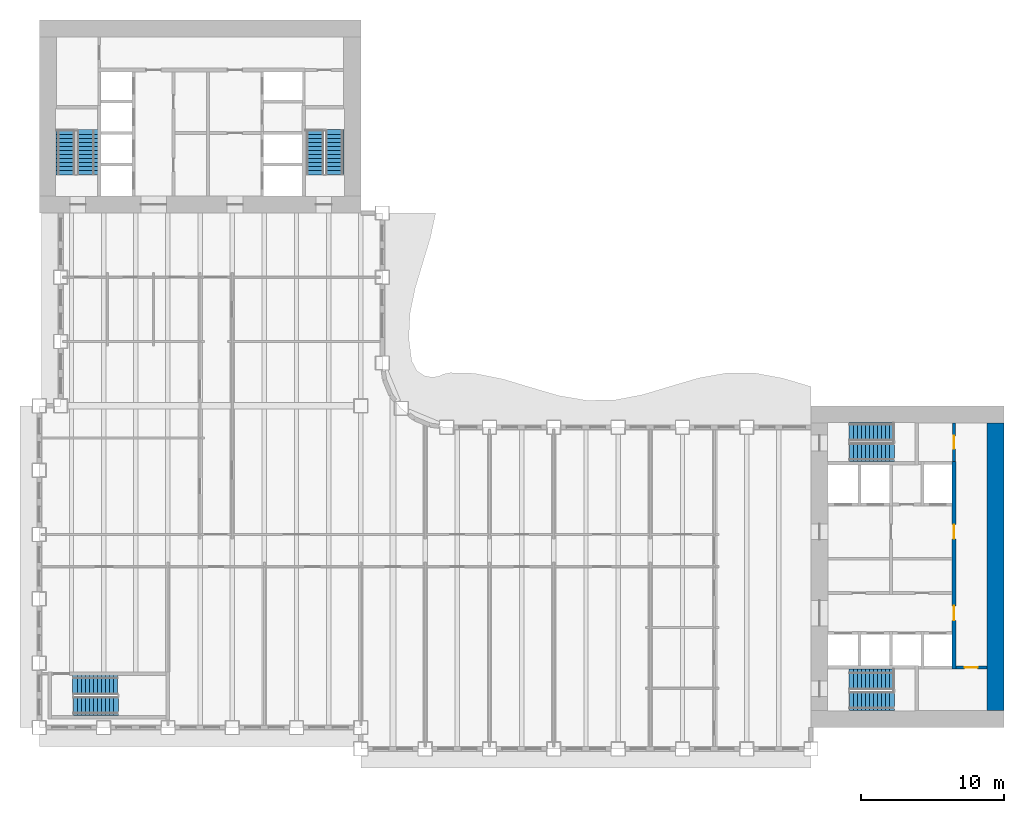
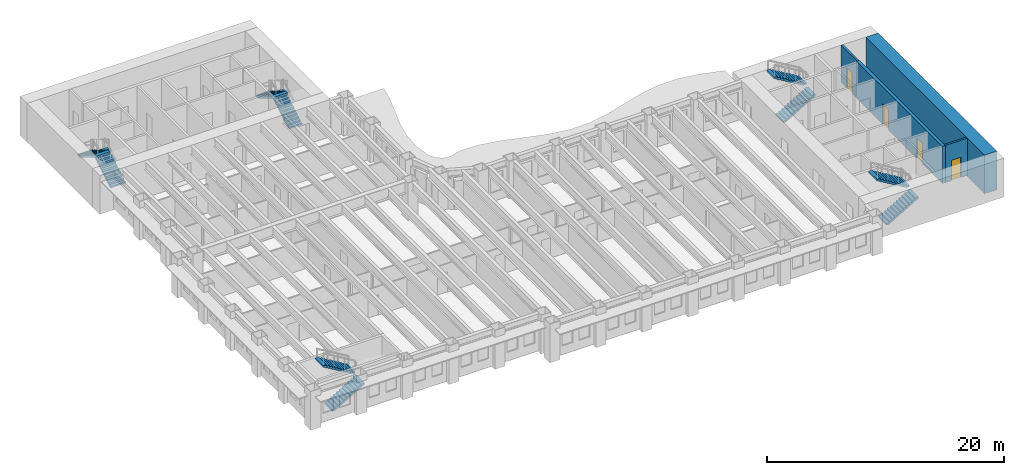
# One storey, part 10 of 16: 10 stair flights, 4 doors, 4 walls, 4 openings, 5 elements without a shape of their own.
"""IFC4 building model written with IfcOpenShell, lengths in metres."""

from ifc_helpers import new_model, si_unit, direction, frame, frame_2d, origin, place, context, subcontext, project, spatial, polyline, rectangle, outline, extrude, material, layer, layer_set, type_object, element, fill, aggregate, save


model = new_model("IFC4")

# Units and contexts
model_context = context("Model", 3, precision=1e-05, world=origin(), true_north=direction((0.0, 1.0)))
body_context = subcontext(model_context, "Body", "Model", "MODEL_VIEW")
ifc_project = project(units=[si_unit("LENGTHUNIT", "METRE"), si_unit("AREAUNIT", "SQUARE_METRE"), si_unit("VOLUMEUNIT", "CUBIC_METRE"), si_unit("PLANEANGLEUNIT", "RADIAN"), si_unit("MASSUNIT", "GRAM", prefix="KILO")], contexts=[model_context])

# Site, building, storey
site_placement = place(None, origin())
site = spatial("IfcSite", under=ifc_project, at=site_placement, CompositionType="ELEMENT")
building_placement = place(site_placement, origin())
building = spatial("IfcBuilding", under=site, at=building_placement, Name="Sennacour Bend Tower", CompositionType="ELEMENT")
storey_placement = place(building_placement, frame((0.0, 0.0, 91.0)))
storey = spatial("IfcBuildingStorey", under=building, at=storey_placement, Name="L20", CompositionType="ELEMENT", Elevation=91.0)

# Wall
ifc_material_1 = material(Name="Concrete C80/95", Category="concrete")
ifc_layer_1 = layer(ifc_material_1, 1.199951171875, Name="Concrete C80/95", Category="concrete")
ifc_layer_set_1 = layer_set([ifc_layer_1], Name="Concrete C80/95")
wall_type_1 = type_object("IfcWallType", Name="Core wall 1200 C80/95", PredefinedType="SHEAR", material=ifc_layer_set_1)
wall_1_placement = place(storey_placement, frame((66.89990234375, 1.199951171875, -0.14990234375), z_axis=(0.0, 0.0, 1.0), x_axis=(0.0, 1.0, 0.0)))
element("IfcWall", 1, at=wall_1_placement, inside=storey, type_object=wall_type_1, Name="Core A wall L20 E", PredefinedType="SHEAR", context=body_context, shape_type="SweptSolid", body=[
    extrude(rectangle(XDim=20.10009765625, YDim=1.199951171875, at=frame_2d((10.050048828125, 0.0))), origin(), (0.0, 0.0, 1.0), 4.0),
])

# Wall, opening, door
ifc_material_2 = material(Name="Fire-rated plasterboard partition on steel studs", Category="steel")
ifc_layer_2 = layer(ifc_material_2, 0.199951171875, Name="Fire-rated plasterboard partition on steel studs", Category="steel")
ifc_layer_set_2 = layer_set([ifc_layer_2], Name="Fire-rated plasterboard partition on steel studs")
wall_type_2 = type_object("IfcWallType", Name="Rated partition 200", PredefinedType="PARTITIONING", material=ifc_layer_set_2)
wall_2_placement = place(storey_placement, frame((64.0, 18.60009765625, 0.0), z_axis=(0.0, 0.0, 1.0), x_axis=(0.0, 1.0, 0.0)))
wall_2 = element("IfcWall", 2, at=wall_2_placement, inside=storey, type_object=wall_type_2, Name="P-L20-W046", PredefinedType="PARTITIONING", context=body_context, shape_type="SweptSolid", body=[
    extrude(rectangle(XDim=2.699951171875, YDim=0.199951171875, at=frame_2d((1.35009765625, 0.0))), origin(), (0.0, 0.0, 1.0), 3.85009765625),
])
opening_1_placement = place(wall_2_placement, frame((0.89990234375, 0.0, 0.0)))
opening_1 = element("IfcOpeningElement", 3, at=opening_1_placement, cuts=wall_2, Name="Opening SV", PredefinedType="OPENING", context=body_context, shape_type="SweptSolid", body=[
    extrude(rectangle(XDim=0.89990234375, YDim=2.10009765625, at=frame_2d((0.449951171875, 1.050048828125))), frame((0.0, 0.10986328125, 0.0), z_axis=(0.0, -1.0, 0.0), x_axis=(1.0, 0.0, 0.0)), (0.0, 0.0, 1.0), 0.219970703125),
])
ifc_material_3 = material(Name="Painted steel", Category="steel")
door_type_1 = type_object("IfcDoorType", Name="DR-SERVICE-900", OperationType="NOTDEFINED", PredefinedType="DOOR", material=ifc_material_3)
door_1_placement = place(opening_1_placement, origin())
door_1 = element("IfcDoor", 4, at=door_1_placement, inside=storey, type_object=door_type_1, Name="Door", OperationType="SINGLE_SWING_LEFT", OverallHeight=2.10009765625, OverallWidth=0.89990234375, PredefinedType="DOOR", context=body_context, shape_type="SweptSolid", body=[
    extrude(rectangle(XDim=0.89990234375, YDim=2.10009765625, at=frame_2d((0.449951171875, 1.050048828125))), frame((0.0, 0.02490234375, 0.0), z_axis=(0.0, -1.0, 0.0), x_axis=(1.0, 0.0, 0.0)), (0.0, 0.0, 1.0), 0.050048828125),
])
fill(opening_1, door_1)

wall_3_placement = place(storey_placement, frame((64.14990234375, 4.199951171875, 0.0), z_axis=(0.0, 0.0, 1.0), x_axis=(1.0, 0.0, 0.0)))
wall_3 = element("IfcWall", 5, at=wall_3_placement, inside=storey, type_object=wall_type_2, Name="P-L20-W054", PredefinedType="PARTITIONING", context=body_context, shape_type="SweptSolid", body=[
    extrude(rectangle(XDim=2.150146484375, YDim=0.199951171875, at=frame_2d((1.0751953125, 0.0))), origin(), (0.0, 0.0, 1.0), 3.85009765625),
])
opening_2_placement = place(wall_3_placement, frame((0.60009765625, 0.0, 0.0)))
opening_2 = element("IfcOpeningElement", 6, at=opening_2_placement, cuts=wall_3, Name="Opening SV", PredefinedType="OPENING", context=body_context, shape_type="SweptSolid", body=[
    extrude(rectangle(XDim=0.89990234375, YDim=2.10009765625, at=frame_2d((0.449951171875, 1.050048828125))), frame((0.0, 0.10986328125, 0.0), z_axis=(0.0, -1.0, 0.0), x_axis=(1.0, 0.0, 0.0)), (0.0, 0.0, 1.0), 0.219970703125),
])
door_2_placement = place(opening_2_placement, origin())
door_2 = element("IfcDoor", 7, at=door_2_placement, inside=storey, type_object=door_type_1, Name="Door", OperationType="SINGLE_SWING_LEFT", OverallHeight=2.10009765625, OverallWidth=0.89990234375, PredefinedType="DOOR", context=body_context, shape_type="SweptSolid", body=[
    extrude(rectangle(XDim=0.89990234375, YDim=2.10009765625, at=frame_2d((0.449951171875, 1.050048828125))), frame((0.0, 0.02490234375, 0.0), z_axis=(0.0, -1.0, 0.0), x_axis=(1.0, 0.0, 0.0)), (0.0, 0.0, 1.0), 0.050048828125),
])
fill(opening_2, door_2)

# Wall, openings, doors
ifc_material_4 = material(Name="Concrete C60/75", Category="concrete")
ifc_layer_3 = layer(ifc_material_4, 0.300048828125, Name="Concrete C60/75", Category="concrete")
ifc_layer_set_3 = layer_set([ifc_layer_3], Name="Concrete C60/75")
wall_type_3 = type_object("IfcWallType", Name="Spine wall 300", PredefinedType="SHEAR", material=ifc_layer_set_3)
wall_4_placement = place(storey_placement, frame((64.0, 4.10009765625, 0.0), z_axis=(0.0, 0.0, 1.0), x_axis=(0.0, 1.0, 0.0)))
wall_4 = element("IfcWall", 8, at=wall_4_placement, inside=storey, type_object=wall_type_3, Name="P-L20-W045", PredefinedType="SHEAR", context=body_context, shape_type="SweptSolid", body=[
    extrude(rectangle(XDim=14.5, YDim=0.300048828125, at=frame_2d((7.25, 0.0))), origin(), (0.0, 0.0, 1.0), 3.85009765625),
])
opening_3_placement = place(wall_4_placement, frame((3.39990234375, 0.0, 0.0)))
opening_3 = element("IfcOpeningElement", 9, at=opening_3_placement, cuts=wall_4, Name="Opening CD2", PredefinedType="OPENING", context=body_context, shape_type="SweptSolid", body=[
    extrude(rectangle(XDim=1.0, YDim=2.10009765625, at=frame_2d((0.5, 1.050048828125))), frame((0.0, 0.16015625, 0.0), z_axis=(0.0, -1.0, 0.0), x_axis=(1.0, 0.0, 0.0)), (0.0, 0.0, 1.0), 0.320068359375),
])
opening_4_placement = place(wall_4_placement, frame((9.099853515625, 0.0, 0.0)))
opening_4 = element("IfcOpeningElement", 10, at=opening_4_placement, cuts=wall_4, Name="Opening CD2", PredefinedType="OPENING", context=body_context, shape_type="SweptSolid", body=[
    extrude(rectangle(XDim=1.0, YDim=2.10009765625, at=frame_2d((0.5, 1.050048828125))), frame((0.0, 0.16015625, 0.0), z_axis=(0.0, -1.0, 0.0), x_axis=(1.0, 0.0, 0.0)), (0.0, 0.0, 1.0), 0.320068359375),
])
door_type_2 = type_object("IfcDoorType", Name="DR-LOBBY-1000", OperationType="NOTDEFINED", PredefinedType="DOOR", material=ifc_material_3)
door_3_placement = place(opening_3_placement, origin())
door_3 = element("IfcDoor", 11, at=door_3_placement, inside=storey, type_object=door_type_2, Name="Door", OperationType="SINGLE_SWING_LEFT", OverallHeight=2.10009765625, OverallWidth=1.0, PredefinedType="DOOR", context=body_context, shape_type="SweptSolid", body=[
    extrude(rectangle(XDim=1.0, YDim=2.10009765625, at=frame_2d((0.5, 1.050048828125))), frame((0.0, 0.02490234375, 0.0), z_axis=(0.0, -1.0, 0.0), x_axis=(1.0, 0.0, 0.0)), (0.0, 0.0, 1.0), 0.050048828125),
])
fill(opening_3, door_3)
door_4_placement = place(opening_4_placement, origin())
door_4 = element("IfcDoor", 12, at=door_4_placement, inside=storey, type_object=door_type_2, Name="Door", OperationType="SINGLE_SWING_RIGHT", OverallHeight=2.10009765625, OverallWidth=1.0, PredefinedType="DOOR", context=body_context, shape_type="SweptSolid", body=[
    extrude(rectangle(XDim=1.0, YDim=2.10009765625, at=frame_2d((0.5, 1.050048828125))), frame((0.0, 0.02490234375, 0.0), z_axis=(0.0, -1.0, 0.0), x_axis=(1.0, 0.0, 0.0)), (0.0, 0.0, 1.0), 0.050048828125),
])
fill(opening_4, door_4)

# Stair, stair flights
ifc_material_5 = material(Name="Concrete C40/50", Category="concrete")
stair_type = type_object("IfcStairType", Name="ST-DOGLEG", PredefinedType="HALF_TURN_STAIR", material=ifc_material_5)
stair_1_placement = place(storey_placement, origin())
stair_1 = element("IfcStair", 13, at=stair_1_placement, inside=storey, type_object=stair_type, Name="L20 Exit stair A1", PredefinedType="HALF_TURN_STAIR")
stair_flight_type = type_object("IfcStairFlightType", Name="SFL-RC", PredefinedType="STRAIGHT", material=ifc_material_5)
stair_flight_1_placement = place(storey_placement, frame((56.699951171875, 1.8349609375, 0.0), z_axis=(0.0, 0.0, 1.0), x_axis=(1.0, 0.0, 0.0)))
stair_flight_1 = element("IfcStairFlight", 14, at=stair_flight_1_placement, type_object=stair_flight_type, Name="SA1 flight 1", NumberOfRisers=12, NumberOfTreads=11, PredefinedType="STRAIGHT", RiserHeight=0.166666667, TreadLength=0.28, context=body_context, shape_type="SweptSolid", body=[
    extrude(outline(polyline([(0.0, 0.0), (0.0, 0.166748046875), (0.280029296875, 0.166748046875), (0.280029296875, 0.333251953125), (0.56005859375, 0.333251953125), (0.56005859375, 0.5), (0.840087890625, 0.5), (0.840087890625, 0.666748046875), (1.1201171875, 0.666748046875), (1.1201171875, 0.833251953125), (1.39990234375, 0.833251953125), (1.39990234375, 1.0), (1.679931640625, 1.0), (1.679931640625, 1.166748046875), (1.9599609375, 1.166748046875), (1.9599609375, 1.333251953125), (2.239990234375, 1.333251953125), (2.239990234375, 1.5), (2.52001953125, 1.5), (2.52001953125, 1.666748046875), (2.800048828125, 1.666748046875), (2.800048828125, 1.833251953125), (3.080078125, 1.833251953125), (3.139892578125, 1.833251953125), (3.139892578125, 1.658935546875), (3.080078125, 1.658935546875), (0.29296875, 0.0), (0.0, 0.0)])), frame((0.0, 0.6650390625, 0.0), z_axis=(0.0, -1.0, 0.0), x_axis=(1.0, 0.0, 0.0)), (0.0, 0.0, 1.0), 1.330078125),
])
stair_flight_2_placement = place(storey_placement, frame((59.780029296875, 3.37744140625, 2.0), z_axis=(0.0, 0.0, 1.0), x_axis=(-1.0, 0.0, 0.0)))
stair_flight_2 = element("IfcStairFlight", 15, at=stair_flight_2_placement, type_object=stair_flight_type, Name="SA1 flight 2", NumberOfRisers=12, NumberOfTreads=11, PredefinedType="STRAIGHT", RiserHeight=0.166666667, TreadLength=0.28, context=body_context, shape_type="SweptSolid", body=[
    extrude(outline(polyline([(0.0, 0.0), (0.0, 0.166748046875), (0.280029296875, 0.166748046875), (0.280029296875, 0.333251953125), (0.56005859375, 0.333251953125), (0.56005859375, 0.5), (0.840087890625, 0.5), (0.840087890625, 0.666748046875), (1.1201171875, 0.666748046875), (1.1201171875, 0.833251953125), (1.39990234375, 0.833251953125), (1.39990234375, 1.0), (1.679931640625, 1.0), (1.679931640625, 1.166748046875), (1.9599609375, 1.166748046875), (1.9599609375, 1.333251953125), (2.239990234375, 1.333251953125), (2.239990234375, 1.5), (2.52001953125, 1.5), (2.52001953125, 1.666748046875), (2.800048828125, 1.666748046875), (2.800048828125, 1.833251953125), (3.080078125, 1.833251953125), (3.139892578125, 1.833251953125), (3.139892578125, 1.658935546875), (3.080078125, 1.658935546875), (0.29296875, 0.0), (0.0, 0.0)])), frame((0.0, 0.7275390625, 0.0), z_axis=(0.0, -1.0, 0.0), x_axis=(1.0, 0.0, 0.0)), (0.0, 0.0, 1.0), 1.455078125),
])
aggregate(stair_1, [stair_flight_1, stair_flight_2])

stair_2_placement = place(storey_placement, origin())
stair_2 = element("IfcStair", 16, at=stair_2_placement, inside=storey, type_object=stair_type, Name="L20 Exit stair A2", PredefinedType="HALF_TURN_STAIR")
stair_flight_3_placement = place(storey_placement, frame((56.699951171875, 19.24755859375, 0.0), z_axis=(0.0, 0.0, 1.0), x_axis=(1.0, 0.0, 0.0)))
stair_flight_3 = element("IfcStairFlight", 17, at=stair_flight_3_placement, type_object=stair_flight_type, Name="SA2 flight 1", NumberOfRisers=12, NumberOfTreads=11, PredefinedType="STRAIGHT", RiserHeight=0.166666667, TreadLength=0.28, context=body_context, shape_type="SweptSolid", body=[
    extrude(outline(polyline([(0.0, 0.0), (0.0, 0.166748046875), (0.280029296875, 0.166748046875), (0.280029296875, 0.333251953125), (0.56005859375, 0.333251953125), (0.56005859375, 0.5), (0.840087890625, 0.5), (0.840087890625, 0.666748046875), (1.1201171875, 0.666748046875), (1.1201171875, 0.833251953125), (1.39990234375, 0.833251953125), (1.39990234375, 1.0), (1.679931640625, 1.0), (1.679931640625, 1.166748046875), (1.9599609375, 1.166748046875), (1.9599609375, 1.333251953125), (2.239990234375, 1.333251953125), (2.239990234375, 1.5), (2.52001953125, 1.5), (2.52001953125, 1.666748046875), (2.800048828125, 1.666748046875), (2.800048828125, 1.833251953125), (3.080078125, 1.833251953125), (3.139892578125, 1.833251953125), (3.139892578125, 1.658935546875), (3.080078125, 1.658935546875), (0.29296875, 0.0), (0.0, 0.0)])), frame((0.0, 0.65234375, 0.0), z_axis=(0.0, -1.0, 0.0), x_axis=(1.0, 0.0, 0.0)), (0.0, 0.0, 1.0), 1.304931640625),
])
stair_flight_4_placement = place(storey_placement, frame((59.780029296875, 20.68994140625, 2.0), z_axis=(0.0, 0.0, 1.0), x_axis=(-1.0, 0.0, 0.0)))
stair_flight_4 = element("IfcStairFlight", 18, at=stair_flight_4_placement, type_object=stair_flight_type, Name="SA2 flight 2", NumberOfRisers=12, NumberOfTreads=11, PredefinedType="STRAIGHT", RiserHeight=0.166666667, TreadLength=0.28, context=body_context, shape_type="SweptSolid", body=[
    extrude(outline(polyline([(0.0, 0.0), (0.0, 0.166748046875), (0.280029296875, 0.166748046875), (0.280029296875, 0.333251953125), (0.56005859375, 0.333251953125), (0.56005859375, 0.5), (0.840087890625, 0.5), (0.840087890625, 0.666748046875), (1.1201171875, 0.666748046875), (1.1201171875, 0.833251953125), (1.39990234375, 0.833251953125), (1.39990234375, 1.0), (1.679931640625, 1.0), (1.679931640625, 1.166748046875), (1.9599609375, 1.166748046875), (1.9599609375, 1.333251953125), (2.239990234375, 1.333251953125), (2.239990234375, 1.5), (2.52001953125, 1.5), (2.52001953125, 1.666748046875), (2.800048828125, 1.666748046875), (2.800048828125, 1.833251953125), (3.080078125, 1.833251953125), (3.139892578125, 1.833251953125), (3.139892578125, 1.658935546875), (3.080078125, 1.658935546875), (0.29296875, 0.0), (0.0, 0.0)])), frame((0.0, 0.64013671875, 0.0), z_axis=(0.0, -1.0, 0.0), x_axis=(1.0, 0.0, 0.0)), (0.0, 0.0, 1.0), 1.280029296875),
])
aggregate(stair_2, [stair_flight_3, stair_flight_4])

stair_3_placement = place(storey_placement, origin())
stair_3 = element("IfcStair", 19, at=stair_3_placement, inside=storey, type_object=stair_type, Name="L20 Exit stair B1", PredefinedType="HALF_TURN_STAIR")
stair_flight_5_placement = place(storey_placement, frame((3.37744140625, 38.699951171875, 0.0), z_axis=(0.0, 0.0, 1.0), x_axis=(0.0, 1.0, 0.0)))
stair_flight_5 = element("IfcStairFlight", 20, at=stair_flight_5_placement, type_object=stair_flight_type, Name="SB1 flight 1", NumberOfRisers=12, NumberOfTreads=11, PredefinedType="STRAIGHT", RiserHeight=0.166666667, TreadLength=0.28, context=body_context, shape_type="SweptSolid", body=[
    extrude(outline(polyline([(0.0, 0.0), (0.0, 0.166748046875), (0.280029296875, 0.166748046875), (0.280029296875, 0.333251953125), (0.56005859375, 0.333251953125), (0.56005859375, 0.5), (0.840087890625, 0.5), (0.840087890625, 0.666748046875), (1.1201171875, 0.666748046875), (1.1201171875, 0.833251953125), (1.39990234375, 0.833251953125), (1.39990234375, 1.0), (1.679931640625, 1.0), (1.679931640625, 1.166748046875), (1.9599609375, 1.166748046875), (1.9599609375, 1.333251953125), (2.239990234375, 1.333251953125), (2.239990234375, 1.5), (2.52001953125, 1.5), (2.52001953125, 1.666748046875), (2.800048828125, 1.666748046875), (2.800048828125, 1.833251953125), (3.080078125, 1.833251953125), (3.139892578125, 1.833251953125), (3.139892578125, 1.658935546875), (3.080078125, 1.658935546875), (0.29296875, 0.0), (0.0, 0.0)])), frame((0.0, 0.7275390625, 0.0), z_axis=(0.0, -1.0, 0.0), x_axis=(1.0, 0.0, 0.0)), (0.0, 0.0, 1.0), 1.455078125),
])
stair_flight_6_placement = place(storey_placement, frame((1.8349609375, 41.780029296875, 2.0), z_axis=(0.0, 0.0, 1.0), x_axis=(0.0, -1.0, 0.0)))
stair_flight_6 = element("IfcStairFlight", 21, at=stair_flight_6_placement, type_object=stair_flight_type, Name="SB1 flight 2", NumberOfRisers=12, NumberOfTreads=11, PredefinedType="STRAIGHT", RiserHeight=0.166666667, TreadLength=0.28, context=body_context, shape_type="SweptSolid", body=[
    extrude(outline(polyline([(0.0, 0.0), (0.0, 0.166748046875), (0.280029296875, 0.166748046875), (0.280029296875, 0.333251953125), (0.56005859375, 0.333251953125), (0.56005859375, 0.5), (0.840087890625, 0.5), (0.840087890625, 0.666748046875), (1.1201171875, 0.666748046875), (1.1201171875, 0.833251953125), (1.39990234375, 0.833251953125), (1.39990234375, 1.0), (1.679931640625, 1.0), (1.679931640625, 1.166748046875), (1.9599609375, 1.166748046875), (1.9599609375, 1.333251953125), (2.239990234375, 1.333251953125), (2.239990234375, 1.5), (2.52001953125, 1.5), (2.52001953125, 1.666748046875), (2.800048828125, 1.666748046875), (2.800048828125, 1.833251953125), (3.080078125, 1.833251953125), (3.139892578125, 1.833251953125), (3.139892578125, 1.658935546875), (3.080078125, 1.658935546875), (0.29296875, 0.0), (0.0, 0.0)])), frame((0.0, 0.6650390625, 0.0), z_axis=(0.0, -1.0, 0.0), x_axis=(1.0, 0.0, 0.0)), (0.0, 0.0, 1.0), 1.330078125),
])
aggregate(stair_3, [stair_flight_5, stair_flight_6])

stair_4_placement = place(storey_placement, origin())
stair_4 = element("IfcStair", 22, at=stair_4_placement, inside=storey, type_object=stair_type, Name="L20 Exit stair B2", PredefinedType="HALF_TURN_STAIR")
stair_flight_7_placement = place(storey_placement, frame((20.68994140625, 38.699951171875, 0.0), z_axis=(0.0, 0.0, 1.0), x_axis=(0.0, 1.0, 0.0)))
stair_flight_7 = element("IfcStairFlight", 23, at=stair_flight_7_placement, type_object=stair_flight_type, Name="SB2 flight 1", NumberOfRisers=12, NumberOfTreads=11, PredefinedType="STRAIGHT", RiserHeight=0.166666667, TreadLength=0.28, context=body_context, shape_type="SweptSolid", body=[
    extrude(outline(polyline([(0.0, 0.0), (0.0, 0.166748046875), (0.280029296875, 0.166748046875), (0.280029296875, 0.333251953125), (0.56005859375, 0.333251953125), (0.56005859375, 0.5), (0.840087890625, 0.5), (0.840087890625, 0.666748046875), (1.1201171875, 0.666748046875), (1.1201171875, 0.833251953125), (1.39990234375, 0.833251953125), (1.39990234375, 1.0), (1.679931640625, 1.0), (1.679931640625, 1.166748046875), (1.9599609375, 1.166748046875), (1.9599609375, 1.333251953125), (2.239990234375, 1.333251953125), (2.239990234375, 1.5), (2.52001953125, 1.5), (2.52001953125, 1.666748046875), (2.800048828125, 1.666748046875), (2.800048828125, 1.833251953125), (3.080078125, 1.833251953125), (3.139892578125, 1.833251953125), (3.139892578125, 1.658935546875), (3.080078125, 1.658935546875), (0.29296875, 0.0), (0.0, 0.0)])), frame((0.0, 0.64013671875, 0.0), z_axis=(0.0, -1.0, 0.0), x_axis=(1.0, 0.0, 0.0)), (0.0, 0.0, 1.0), 1.280029296875),
])
stair_flight_8_placement = place(storey_placement, frame((19.24755859375, 41.780029296875, 2.0), z_axis=(0.0, 0.0, 1.0), x_axis=(0.0, -1.0, 0.0)))
stair_flight_8 = element("IfcStairFlight", 24, at=stair_flight_8_placement, type_object=stair_flight_type, Name="SB2 flight 2", NumberOfRisers=12, NumberOfTreads=11, PredefinedType="STRAIGHT", RiserHeight=0.166666667, TreadLength=0.28, context=body_context, shape_type="SweptSolid", body=[
    extrude(outline(polyline([(0.0, 0.0), (0.0, 0.166748046875), (0.280029296875, 0.166748046875), (0.280029296875, 0.333251953125), (0.56005859375, 0.333251953125), (0.56005859375, 0.5), (0.840087890625, 0.5), (0.840087890625, 0.666748046875), (1.1201171875, 0.666748046875), (1.1201171875, 0.833251953125), (1.39990234375, 0.833251953125), (1.39990234375, 1.0), (1.679931640625, 1.0), (1.679931640625, 1.166748046875), (1.9599609375, 1.166748046875), (1.9599609375, 1.333251953125), (2.239990234375, 1.333251953125), (2.239990234375, 1.5), (2.52001953125, 1.5), (2.52001953125, 1.666748046875), (2.800048828125, 1.666748046875), (2.800048828125, 1.833251953125), (3.080078125, 1.833251953125), (3.139892578125, 1.833251953125), (3.139892578125, 1.658935546875), (3.080078125, 1.658935546875), (0.29296875, 0.0), (0.0, 0.0)])), frame((0.0, 0.65234375, 0.0), z_axis=(0.0, -1.0, 0.0), x_axis=(1.0, 0.0, 0.0)), (0.0, 0.0, 1.0), 1.304931640625),
])
aggregate(stair_4, [stair_flight_7, stair_flight_8])

stair_5_placement = place(storey_placement, origin())
stair_5 = element("IfcStair", 25, at=stair_5_placement, inside=storey, type_object=stair_type, Name="L20 Exit stair K1", PredefinedType="HALF_TURN_STAIR")
stair_flight_9_placement = place(storey_placement, frame((2.39990234375, 1.485107421875, 0.0), z_axis=(0.0, 0.0, 1.0), x_axis=(1.0, 0.0, 0.0)))
stair_flight_9 = element("IfcStairFlight", 26, at=stair_flight_9_placement, type_object=stair_flight_type, Name="SK1 flight 1", NumberOfRisers=12, NumberOfTreads=11, PredefinedType="STRAIGHT", RiserHeight=0.166666667, TreadLength=0.28, context=body_context, shape_type="SweptSolid", body=[
    extrude(outline(polyline([(0.0, 0.0), (0.0, 0.166748046875), (0.280029296875, 0.166748046875), (0.280029296875, 0.333251953125), (0.56005859375, 0.333251953125), (0.56005859375, 0.5), (0.840087890625, 0.5), (0.840087890625, 0.666748046875), (1.1201171875, 0.666748046875), (1.1201171875, 0.833251953125), (1.39990234375, 0.833251953125), (1.39990234375, 1.0), (1.679931640625, 1.0), (1.679931640625, 1.166748046875), (1.9599609375, 1.166748046875), (1.9599609375, 1.333251953125), (2.239990234375, 1.333251953125), (2.239990234375, 1.5), (2.52001953125, 1.5), (2.52001953125, 1.666748046875), (2.800048828125, 1.666748046875), (2.800048828125, 1.833251953125), (3.080078125, 1.833251953125), (3.139892578125, 1.833251953125), (3.139892578125, 1.658935546875), (3.080078125, 1.658935546875), (0.29296875, 0.0), (0.0, 0.0)])), frame((0.0, 0.6650390625, 0.0), z_axis=(0.0, -1.0, 0.0), x_axis=(1.0, 0.0, 0.0)), (0.0, 0.0, 1.0), 1.330078125),
])
stair_flight_10_placement = place(storey_placement, frame((5.47998046875, 2.9775390625, 2.0), z_axis=(0.0, 0.0, 1.0), x_axis=(-1.0, 0.0, 0.0)))
stair_flight_10 = element("IfcStairFlight", 27, at=stair_flight_10_placement, type_object=stair_flight_type, Name="SK1 flight 2", NumberOfRisers=12, NumberOfTreads=11, PredefinedType="STRAIGHT", RiserHeight=0.166666667, TreadLength=0.28, context=body_context, shape_type="SweptSolid", body=[
    extrude(outline(polyline([(0.0, 0.0), (0.0, 0.166748046875), (0.280029296875, 0.166748046875), (0.280029296875, 0.333251953125), (0.56005859375, 0.333251953125), (0.56005859375, 0.5), (0.840087890625, 0.5), (0.840087890625, 0.666748046875), (1.1201171875, 0.666748046875), (1.1201171875, 0.833251953125), (1.39990234375, 0.833251953125), (1.39990234375, 1.0), (1.679931640625, 1.0), (1.679931640625, 1.166748046875), (1.9599609375, 1.166748046875), (1.9599609375, 1.333251953125), (2.239990234375, 1.333251953125), (2.239990234375, 1.5), (2.52001953125, 1.5), (2.52001953125, 1.666748046875), (2.800048828125, 1.666748046875), (2.800048828125, 1.833251953125), (3.080078125, 1.833251953125), (3.139892578125, 1.833251953125), (3.139892578125, 1.658935546875), (3.080078125, 1.658935546875), (0.29296875, 0.0), (0.0, 0.0)])), frame((0.0, 0.677490234375, 0.0), z_axis=(0.0, -1.0, 0.0), x_axis=(1.0, 0.0, 0.0)), (0.0, 0.0, 1.0), 1.35498046875),
])
aggregate(stair_5, [stair_flight_9, stair_flight_10])

save(model, "model.ifc")
